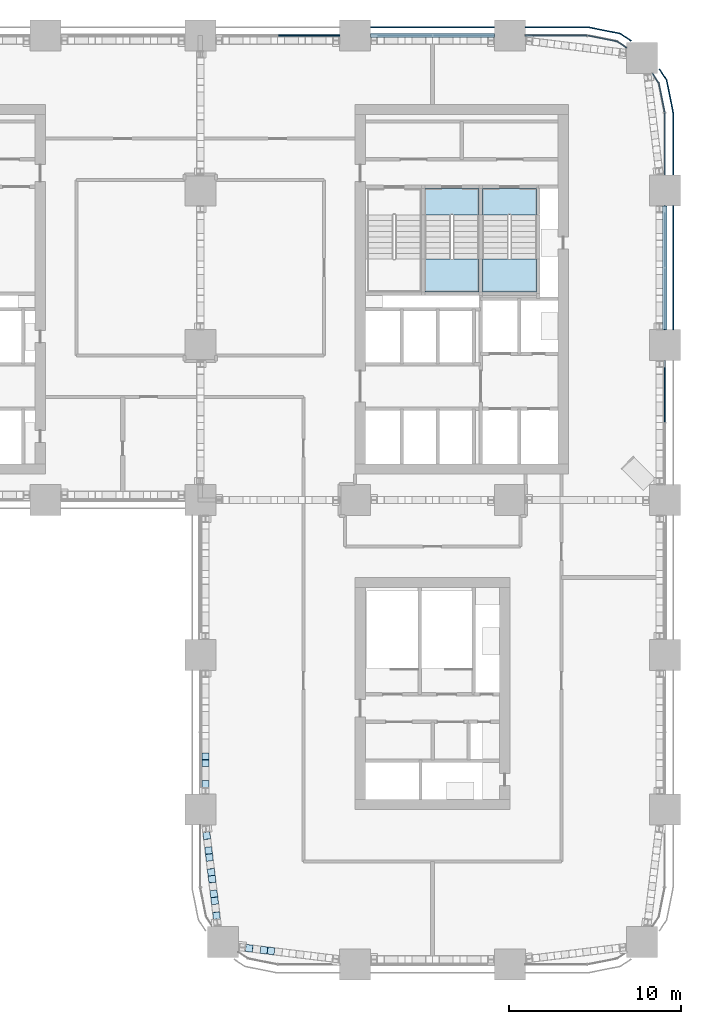
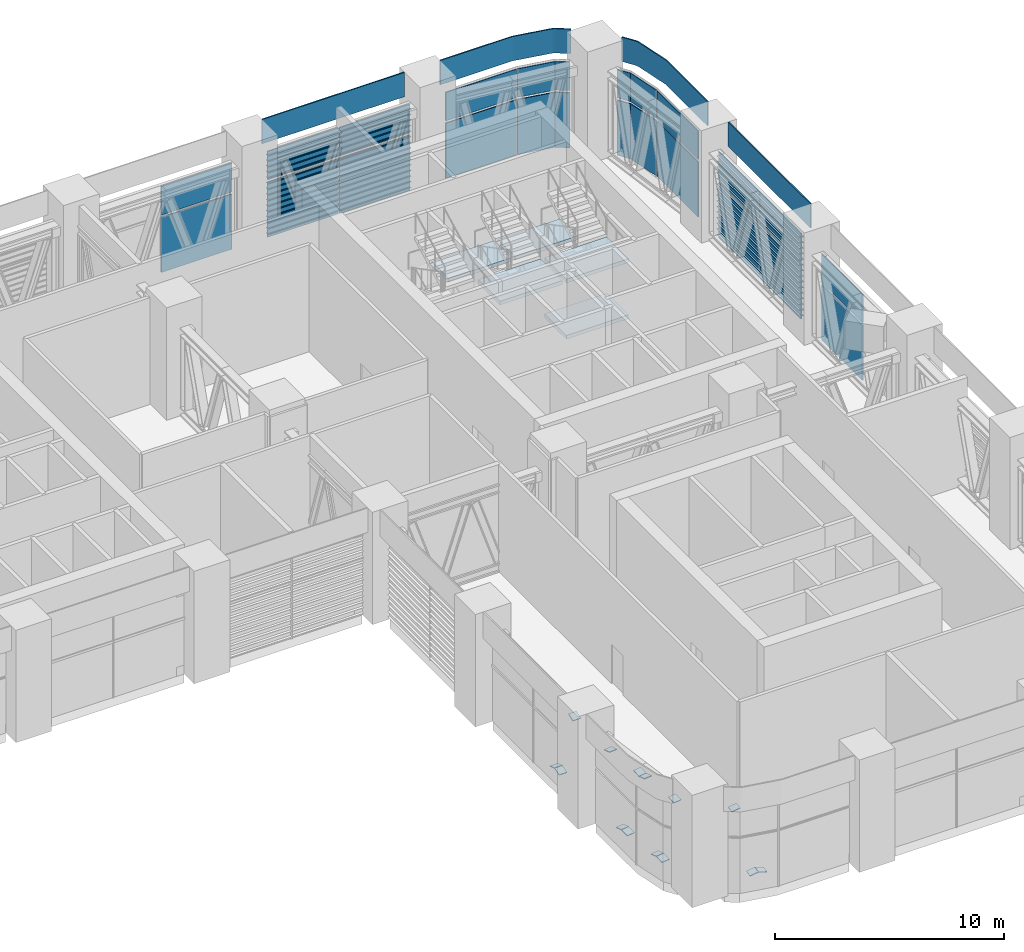
# One storey, part 13 of 24: 68 plates, 5 slabs, 8 elements without a shape of their own.
"""IFC4 building model written with IfcOpenShell, lengths in metres."""

from ifc_helpers import new_model, si_unit, direction, frame, origin, origin_2d, place, context, subcontext, project, spatial, polyline, rectangle, outline, extrude, material, layer, layer_set, type_object, element, aggregate, save


model = new_model("IFC4")

# Units and contexts
model_context = context("Model", 3, precision=1e-05, world=origin(), true_north=direction((0.0, 1.0)))
body_context = subcontext(model_context, "Body", "Model", "MODEL_VIEW")
ifc_project = project(units=[si_unit("LENGTHUNIT", "METRE"), si_unit("AREAUNIT", "SQUARE_METRE"), si_unit("VOLUMEUNIT", "CUBIC_METRE"), si_unit("PLANEANGLEUNIT", "RADIAN"), si_unit("MASSUNIT", "GRAM", prefix="KILO")], contexts=[model_context])

# Site, building, storey
site_placement = place(None, origin())
site = spatial("IfcSite", under=ifc_project, at=site_placement, CompositionType="ELEMENT")
building_placement = place(site_placement, origin())
building = spatial("IfcBuilding", under=site, at=building_placement, Name="Tessera Arch", CompositionType="ELEMENT")
storey_placement = place(building_placement, frame((0.0, 0.0, 123.39990234375)))
storey = spatial("IfcBuildingStorey", under=building, at=storey_placement, Name="L29", CompositionType="ELEMENT", Elevation=123.39990234375)

# Curtain wall, plates
ifc_material_1 = material(Name="CW7 curtain wall")
curtain_wall_type = type_object("IfcCurtainWallType", Name="CW7 curtain wall", PredefinedType="NOTDEFINED", material=ifc_material_1)
curtain_wall_1_placement = place(storey_placement, origin())
curtain_wall_1 = element("IfcCurtainWall", 1, at=curtain_wall_1_placement, inside=storey, type_object=curtain_wall_type, Name="CW7 curtain wall N54.0/0 L29", PredefinedType="NOTDEFINED")
ifc_material_2 = material(Name="Pale anodised aluminium panel", Category="aluminium")
ifc_layer_1 = layer(ifc_material_2, 0.06005859375)
ifc_layer_set_1 = layer_set([ifc_layer_1], Name="CW7 plant wall panel")
plate_type_1 = type_object("IfcPlateType", Name="CW7 plant wall panel", PredefinedType="CURTAIN_PANEL", material=ifc_layer_set_1)
plate_1_placement = place(storey_placement, frame((42.31494140625, 54.0, 0.000244140625), z_axis=(0.0, 0.0, 1.0), x_axis=(-1.0, 0.0, 0.0)))
plate_1 = element("IfcPlate", 2, at=plate_1_placement, type_object=plate_type_1, Name="CW7 plant wall panel N54.0/0 1.1.1", PredefinedType="CURTAIN_PANEL", context=body_context, shape_type="SweptSolid", body=[
    extrude(rectangle(XDim=3.570068359375, YDim=0.06005859375, at=origin_2d()), origin(), (0.0, 0.0, 1.0), 2.93994140625),
])
plate_2_placement = place(storey_placement, frame((42.31494140625, 54.0, 3.06005859375), z_axis=(0.0, 0.0, 1.0), x_axis=(-1.0, 0.0, 0.0)))
plate_2 = element("IfcPlate", 3, at=plate_2_placement, type_object=plate_type_1, Name="CW7 plant wall panel N54.0/0 1.1.2", PredefinedType="CURTAIN_PANEL", context=body_context, shape_type="SweptSolid", body=[
    extrude(rectangle(XDim=3.570068359375, YDim=0.06005859375, at=origin_2d()), origin(), (0.0, 0.0, 1.0), 1.52001953125),
])
plate_3_placement = place(storey_placement, frame((38.68505859375, 54.0, 0.000244140625), z_axis=(0.0, 0.0, 1.0), x_axis=(-1.0, 0.0, 0.0)))
plate_3 = element("IfcPlate", 4, at=plate_3_placement, type_object=plate_type_1, Name="CW7 plant wall panel N54.0/0 1.2.1", PredefinedType="CURTAIN_PANEL", context=body_context, shape_type="SweptSolid", body=[
    extrude(rectangle(XDim=3.570068359375, YDim=0.06005859375, at=origin_2d()), origin(), (0.0, 0.0, 1.0), 2.93994140625),
])
plate_4_placement = place(storey_placement, frame((38.68505859375, 54.0, 3.06005859375), z_axis=(0.0, 0.0, 1.0), x_axis=(-1.0, 0.0, 0.0)))
plate_4 = element("IfcPlate", 5, at=plate_4_placement, type_object=plate_type_1, Name="CW7 plant wall panel N54.0/0 1.2.2", PredefinedType="CURTAIN_PANEL", context=body_context, shape_type="SweptSolid", body=[
    extrude(rectangle(XDim=3.570068359375, YDim=0.06005859375, at=origin_2d()), origin(), (0.0, 0.0, 1.0), 1.52001953125),
])

curtain_wall_2_placement = place(storey_placement, origin())
curtain_wall_2 = element("IfcCurtainWall", 6, at=curtain_wall_2_placement, inside=storey, type_object=curtain_wall_type, Name="CW7 curtain wall N54.0/1 L29", PredefinedType="NOTDEFINED")
plate_5_placement = place(storey_placement, frame((33.31494140625, 54.0, 0.000244140625), z_axis=(0.0, 0.0, 1.0), x_axis=(-1.0, 0.0, 0.0)))
plate_5 = element("IfcPlate", 7, at=plate_5_placement, type_object=plate_type_1, Name="CW7 plant wall panel N54.0/1 1.1.1", PredefinedType="CURTAIN_PANEL", context=body_context, shape_type="SweptSolid", body=[
    extrude(rectangle(XDim=3.570068359375, YDim=0.06005859375, at=origin_2d()), origin(), (0.0, 0.0, 1.0), 2.93994140625),
])
plate_6_placement = place(storey_placement, frame((33.31494140625, 54.0, 3.06005859375), z_axis=(0.0, 0.0, 1.0), x_axis=(-1.0, 0.0, 0.0)))
plate_6 = element("IfcPlate", 8, at=plate_6_placement, type_object=plate_type_1, Name="CW7 plant wall panel N54.0/1 1.1.2", PredefinedType="CURTAIN_PANEL", context=body_context, shape_type="SweptSolid", body=[
    extrude(rectangle(XDim=3.570068359375, YDim=0.06005859375, at=origin_2d()), origin(), (0.0, 0.0, 1.0), 1.52001953125),
])
aggregate(curtain_wall_2, [plate_5, plate_6])

curtain_wall_3_placement = place(storey_placement, origin())
curtain_wall_3 = element("IfcCurtainWall", 9, at=curtain_wall_3_placement, inside=storey, type_object=curtain_wall_type, Name="CW7 curtain wall E54.0/3 L29", PredefinedType="NOTDEFINED")
plate_7_placement = place(storey_placement, frame((54.0, 33.31494140625, 0.000244140625), z_axis=(0.0, 0.0, 1.0), x_axis=(0.0, 1.0, 0.0)))
plate_7 = element("IfcPlate", 10, at=plate_7_placement, type_object=plate_type_1, Name="CW7 plant wall panel E54.0/3 1.2.1", PredefinedType="CURTAIN_PANEL", context=body_context, shape_type="SweptSolid", body=[
    extrude(rectangle(XDim=3.570068359375, YDim=0.06005859375, at=origin_2d()), origin(), (0.0, 0.0, 1.0), 2.93994140625),
])
plate_8_placement = place(storey_placement, frame((54.0, 33.31494140625, 3.06005859375), z_axis=(0.0, 0.0, 1.0), x_axis=(0.0, 1.0, 0.0)))
plate_8 = element("IfcPlate", 11, at=plate_8_placement, type_object=plate_type_1, Name="CW7 plant wall panel E54.0/3 1.2.2", PredefinedType="CURTAIN_PANEL", context=body_context, shape_type="SweptSolid", body=[
    extrude(rectangle(XDim=3.570068359375, YDim=0.06005859375, at=origin_2d()), origin(), (0.0, 0.0, 1.0), 1.52001953125),
])
aggregate(curtain_wall_3, [plate_7, plate_8])

curtain_wall_4_placement = place(storey_placement, origin())
curtain_wall_4 = element("IfcCurtainWall", 12, at=curtain_wall_4_placement, inside=storey, type_object=curtain_wall_type, Name="CW7 curtain wall E54.0/4 L29", PredefinedType="NOTDEFINED")
plate_9_placement = place(storey_placement, frame((54.0, 38.68505859375, 0.000244140625), z_axis=(0.0, 0.0, 1.0), x_axis=(0.0, 1.0, 0.0)))
plate_9 = element("IfcPlate", 13, at=plate_9_placement, type_object=plate_type_1, Name="CW7 plant wall panel E54.0/4 1.1.1", PredefinedType="CURTAIN_PANEL", context=body_context, shape_type="SweptSolid", body=[
    extrude(rectangle(XDim=3.570068359375, YDim=0.06005859375, at=origin_2d()), origin(), (0.0, 0.0, 1.0), 2.93994140625),
])
plate_10_placement = place(storey_placement, frame((54.0, 38.68505859375, 3.06005859375), z_axis=(0.0, 0.0, 1.0), x_axis=(0.0, 1.0, 0.0)))
plate_10 = element("IfcPlate", 14, at=plate_10_placement, type_object=plate_type_1, Name="CW7 plant wall panel E54.0/4 1.1.2", PredefinedType="CURTAIN_PANEL", context=body_context, shape_type="SweptSolid", body=[
    extrude(rectangle(XDim=3.570068359375, YDim=0.06005859375, at=origin_2d()), origin(), (0.0, 0.0, 1.0), 1.52001953125),
])
plate_11_placement = place(storey_placement, frame((54.0, 42.31494140625, 0.000244140625), z_axis=(0.0, 0.0, 1.0), x_axis=(0.0, 1.0, 0.0)))
plate_11 = element("IfcPlate", 15, at=plate_11_placement, type_object=plate_type_1, Name="CW7 plant wall panel E54.0/4 1.2.1", PredefinedType="CURTAIN_PANEL", context=body_context, shape_type="SweptSolid", body=[
    extrude(rectangle(XDim=3.570068359375, YDim=0.06005859375, at=origin_2d()), origin(), (0.0, 0.0, 1.0), 2.93994140625),
])
plate_12_placement = place(storey_placement, frame((54.0, 42.31494140625, 3.06005859375), z_axis=(0.0, 0.0, 1.0), x_axis=(0.0, 1.0, 0.0)))
plate_12 = element("IfcPlate", 16, at=plate_12_placement, type_object=plate_type_1, Name="CW7 plant wall panel E54.0/4 1.2.2", PredefinedType="CURTAIN_PANEL", context=body_context, shape_type="SweptSolid", body=[
    extrude(rectangle(XDim=3.570068359375, YDim=0.06005859375, at=origin_2d()), origin(), (0.0, 0.0, 1.0), 1.52001953125),
])

curtain_wall_5_placement = place(storey_placement, origin())
curtain_wall_5 = element("IfcCurtainWall", 17, at=curtain_wall_5_placement, inside=storey, type_object=curtain_wall_type, Name="CW7 curtain wall E54.0/5 L29", PredefinedType="NOTDEFINED")
plate_13_placement = place(storey_placement, frame((54.0, 47.68505859375, 0.000244140625), z_axis=(0.0, 0.0, 1.0), x_axis=(0.0, 1.0, 0.0)))
plate_13 = element("IfcPlate", 18, at=plate_13_placement, type_object=plate_type_1, Name="CW7 plant wall panel E54.0/5 1.1", PredefinedType="CURTAIN_PANEL", context=body_context, shape_type="SweptSolid", body=[
    extrude(rectangle(XDim=3.570068359375, YDim=0.06005859375, at=origin_2d()), origin(), (0.0, 0.0, 1.0), 2.93994140625),
])
plate_14_placement = place(storey_placement, origin())
plate_14 = element("IfcPlate", 19, at=plate_14_placement, type_object=plate_type_1, Name="CW7 curved plant wall panel E54.0/5 2.1", PredefinedType="CURTAIN_PANEL", context=body_context, shape_type="SweptSolid", body=[
    extrude(outline(polyline([(53.629150390625, 51.21044921875), (53.96484375, 49.523681640625), (54.023681640625, 49.53515625), (53.685791015625, 51.23388671875), (53.308349609375, 51.798583984375), (53.25830078125, 51.765380859375), (53.629150390625, 51.21044921875)])), origin(), (0.0, 0.0, 1.0), 2.940185546875),
])
plate_15_placement = place(storey_placement, frame((54.0, 47.68505859375, 3.06005859375), z_axis=(0.0, 0.0, 1.0), x_axis=(0.0, 1.0, 0.0)))
plate_15 = element("IfcPlate", 20, at=plate_15_placement, type_object=plate_type_1, Name="CW7 plant wall panel E54.0/5 1.2", PredefinedType="CURTAIN_PANEL", context=body_context, shape_type="SweptSolid", body=[
    extrude(rectangle(XDim=3.570068359375, YDim=0.06005859375, at=origin_2d()), origin(), (0.0, 0.0, 1.0), 1.52001953125),
])
plate_16_placement = place(storey_placement, frame((0.0, 0.0, 3.06005859375)))
plate_16 = element("IfcPlate", 21, at=plate_16_placement, type_object=plate_type_1, Name="CW7 curved plant wall panel E54.0/5 2.2", PredefinedType="CURTAIN_PANEL", context=body_context, shape_type="SweptSolid", body=[
    extrude(outline(polyline([(53.629150390625, 51.21044921875), (53.96484375, 49.523681640625), (54.023681640625, 49.53515625), (53.685791015625, 51.23388671875), (53.308349609375, 51.798583984375), (53.25830078125, 51.765380859375), (53.629150390625, 51.21044921875)])), origin(), (0.0, 0.0, 1.0), 1.52001953125),
])

curtain_wall_6_placement = place(storey_placement, origin())
curtain_wall_6 = element("IfcCurtainWall", 22, at=curtain_wall_6_placement, inside=storey, type_object=curtain_wall_type, Name="CW7 curtain wall N54.0/5 L29", PredefinedType="NOTDEFINED")
plate_17_placement = place(storey_placement, frame((47.68505859375, 54.0, 0.000244140625), z_axis=(0.0, 0.0, 1.0), x_axis=(-1.0, 0.0, 0.0)))
plate_17 = element("IfcPlate", 23, at=plate_17_placement, type_object=plate_type_1, Name="CW7 plant wall panel N54.0/5 1.1", PredefinedType="CURTAIN_PANEL", context=body_context, shape_type="SweptSolid", body=[
    extrude(rectangle(XDim=3.570068359375, YDim=0.06005859375, at=origin_2d()), origin(), (0.0, 0.0, 1.0), 2.93994140625),
])
plate_18_placement = place(storey_placement, origin())
plate_18 = element("IfcPlate", 24, at=plate_18_placement, type_object=plate_type_1, Name="CW7 curved plant wall panel N54.0/5 2.1", PredefinedType="CURTAIN_PANEL", context=body_context, shape_type="SweptSolid", body=[
    extrude(outline(polyline([(51.21044921875, 53.629150390625), (51.765380859375, 53.25830078125), (51.798583984375, 53.308349609375), (51.23388671875, 53.685791015625), (49.53515625, 54.023681640625), (49.523681640625, 53.96484375), (51.21044921875, 53.629150390625)])), origin(), (0.0, 0.0, 1.0), 2.940185546875),
])
plate_19_placement = place(storey_placement, frame((47.68505859375, 54.0, 3.06005859375), z_axis=(0.0, 0.0, 1.0), x_axis=(-1.0, 0.0, 0.0)))
plate_19 = element("IfcPlate", 25, at=plate_19_placement, type_object=plate_type_1, Name="CW7 plant wall panel N54.0/5 1.2", PredefinedType="CURTAIN_PANEL", context=body_context, shape_type="SweptSolid", body=[
    extrude(rectangle(XDim=3.570068359375, YDim=0.06005859375, at=origin_2d()), origin(), (0.0, 0.0, 1.0), 1.52001953125),
])
plate_20_placement = place(storey_placement, frame((0.0, 0.0, 3.06005859375)))
plate_20 = element("IfcPlate", 26, at=plate_20_placement, type_object=plate_type_1, Name="CW7 curved plant wall panel N54.0/5 2.2", PredefinedType="CURTAIN_PANEL", context=body_context, shape_type="SweptSolid", body=[
    extrude(outline(polyline([(51.21044921875, 53.629150390625), (51.765380859375, 53.25830078125), (51.798583984375, 53.308349609375), (51.23388671875, 53.685791015625), (49.53515625, 54.023681640625), (49.523681640625, 53.96484375), (51.21044921875, 53.629150390625)])), origin(), (0.0, 0.0, 1.0), 1.52001953125),
])

# Plate
ifc_material_3 = material(Name="Pale anodised aluminium panel", Category="aluminium")
ifc_layer_2 = layer(ifc_material_3, 0.06005859375)
ifc_layer_set_2 = layer_set([ifc_layer_2], Name="CW7 spandrel panel")
plate_type_2 = type_object("IfcPlateType", Name="CW7 spandrel panel", PredefinedType="CURTAIN_PANEL", material=ifc_layer_set_2)
plate_21_placement = place(storey_placement, frame((40.5, 54.47998046875, 4.7001953125), z_axis=(0.0, 0.0, 1.0), x_axis=(-1.0, 0.0, 0.0)))
plate_21 = element("IfcPlate", 27, at=plate_21_placement, type_object=plate_type_2, Name="CW7 spandrel panel N54.0/0", PredefinedType="CURTAIN_PANEL", context=body_context, shape_type="SweptSolid", body=[
    extrude(rectangle(XDim=7.199951171875, YDim=0.06005859375, at=origin_2d()), origin(), (0.0, 0.0, 1.0), 1.300048828125),
])

aggregate(curtain_wall_1, [plate_1, plate_2, plate_3, plate_4, plate_21])

plate_22_placement = place(storey_placement, frame((54.47998046875, 40.5, 4.7001953125), z_axis=(0.0, 0.0, 1.0), x_axis=(0.0, 1.0, 0.0)))
plate_22 = element("IfcPlate", 28, at=plate_22_placement, type_object=plate_type_2, Name="CW7 spandrel panel E54.0/4", PredefinedType="CURTAIN_PANEL", context=body_context, shape_type="SweptSolid", body=[
    extrude(rectangle(XDim=7.199951171875, YDim=0.06005859375, at=origin_2d()), origin(), (0.0, 0.0, 1.0), 1.300048828125),
])

aggregate(curtain_wall_4, [plate_9, plate_10, plate_11, plate_12, plate_22])

plate_23_placement = place(storey_placement, frame((0.0, 0.0, 4.7001953125)))
plate_23 = element("IfcPlate", 29, at=plate_23_placement, type_object=plate_type_2, Name="CW7 spandrel panel E54.0/5", PredefinedType="CURTAIN_PANEL", context=body_context, shape_type="SweptSolid", body=[
    extrude(outline(polyline([(54.449951171875, 49.499267578125), (54.449951171875, 45.89990234375), (54.510009765625, 45.89990234375), (54.510009765625, 49.500732421875), (54.507568359375, 49.550048828125), (54.500244140625, 49.598876953125), (54.157470703125, 51.322265625), (54.1455078125, 51.3701171875), (54.128662109375, 51.417236328125), (54.107177734375, 51.462646484375), (54.08203125, 51.5048828125), (53.707275390625, 52.0654296875), (53.657470703125, 52.031982421875), (54.03125, 51.47265625), (54.05419921875, 51.434326171875), (54.0732421875, 51.394287109375), (54.088134765625, 51.352783203125), (54.09912109375, 51.30908203125), (54.441162109375, 49.588623046875), (54.44775390625, 49.544189453125), (54.449951171875, 49.499267578125)])), origin(), (0.0, 0.0, 1.0), 1.2998046875),
])

aggregate(curtain_wall_5, [plate_13, plate_14, plate_15, plate_16, plate_23])

plate_24_placement = place(storey_placement, frame((0.0, 0.0, 4.7001953125)))
plate_24 = element("IfcPlate", 30, at=plate_24_placement, type_object=plate_type_2, Name="CW7 spandrel panel N54.0/5", PredefinedType="CURTAIN_PANEL", context=body_context, shape_type="SweptSolid", body=[
    extrude(outline(polyline([(51.47265625, 54.03125), (52.031982421875, 53.657470703125), (52.0654296875, 53.707275390625), (51.5048828125, 54.08203125), (51.462646484375, 54.107177734375), (51.417236328125, 54.128662109375), (51.3701171875, 54.1455078125), (51.322265625, 54.157470703125), (49.598876953125, 54.500244140625), (49.550048828125, 54.507568359375), (49.500732421875, 54.510009765625), (45.89990234375, 54.510009765625), (45.89990234375, 54.449951171875), (49.499267578125, 54.449951171875), (49.544189453125, 54.44775390625), (49.588623046875, 54.441162109375), (51.30908203125, 54.09912109375), (51.352783203125, 54.088134765625), (51.394287109375, 54.0732421875), (51.434326171875, 54.05419921875), (51.47265625, 54.03125)])), origin(), (0.0, 0.0, 1.0), 1.2998046875),
])

aggregate(curtain_wall_6, [plate_17, plate_18, plate_19, plate_20, plate_24])

# Plates
ifc_material_4 = material(Name="Steel A572 Gr50", Category="steel")
ifc_layer_3 = layer(ifc_material_4, 0.0400390625)
ifc_layer_set_3 = layer_set([ifc_layer_3], Name="End plate W14x257")
plate_type_3 = type_object("IfcPlateType", Name="End plate W14x257", PredefinedType="SHEET", material=ifc_layer_set_3)
for number, where, z_axis, x_axis, name in (
    (31, (27.300048828125, 12.10009765625, 0.557373046875), (0.0, -0.316227766017, -0.948683298051), (1.0, 0.0, 0.0), "End plate Belt truss diagonal 3 end 2"),
    (32, (27.300048828125, 11.706298828125, 0.519287109375), (0.0, -0.316227766017, 0.948683298051), (1.0, 0.0, 0.0), "End plate Belt truss diagonal 4 end 1"),
    (33, (27.300048828125, 10.4970703125, 4.142822265625), (0.0, -0.316227766017, 0.948683298051), (1.0, 0.0, 0.0), "End plate Belt truss diagonal 4 end 2"),
    (34, (27.376953125, 7.4873046875, 4.199462890625), (0.024349989604, -0.225237403834, -0.973999584148), (0.994207047566, 0.10748184298, 0.0), "End plate Belt truss diagonal 1 end 1"),
    (35, (27.4814453125, 6.62939453125, 0.539794921875), (0.024316221747, -0.231004106598, -0.972648869888), (0.994505452921, 0.104684784518, 0.0), "End plate Belt truss diagonal 1 end 2"),
    (36, (27.5302734375, 6.227783203125, 0.500732421875), (0.03043241254, -0.225199852793, 0.973837201266), (0.99099243041, 0.133917896001, 0.0), "End plate Belt truss diagonal 2 end 1"),
    (37, (27.635009765625, 5.36962890625, 4.160400390625), (0.024349989604, -0.225237403834, 0.973999584148), (0.994207047566, 0.10748184298, 0.0), "End plate Belt truss diagonal 2 end 2"),
    (38, (27.683837890625, 4.96826171875, 4.199462890625), (0.024316221747, -0.231004106598, -0.972648869888), (0.994505452921, 0.104684784518, 0.0), "End plate Belt truss diagonal 3 end 1"),
):
    element("IfcPlate", number, at=place(storey_placement, frame(where, z_axis=z_axis, x_axis=x_axis)), inside=storey, type_object=plate_type_3, Name=name, PredefinedType="SHEET", context=body_context, shape_type="SweptSolid", body=[
        extrude(rectangle(XDim=0.406494140625, YDim=0.41650390625, at=origin_2d()), origin(), (0.0, 0.0, 1.0), 0.0400390625),
    ])
plate_25_placement = place(storey_placement, frame((27.788330078125, 4.110107421875, 0.539794921875), z_axis=(0.030390223798, -0.230965700861, -0.972487161521), x_axis=(0.991454295543, 0.130454512571, 0.0)))
element("IfcPlate", 39, at=plate_25_placement, inside=storey, type_object=plate_type_3, Name="End plate Belt truss diagonal 3 end 2", PredefinedType="SHEET", context=body_context, shape_type="SweptSolid", body=[
    extrude(rectangle(XDim=0.406494140625, YDim=0.41650390625, at=origin_2d()), origin(), (0.0, 0.0, 1.0), 0.040283203125),
])
for number, where, z_axis, x_axis, name in (
    (40, (27.83740234375, 3.70849609375, 0.500732421875), (0.024349989604, -0.225237403834, 0.973999584148), (0.994207047566, 0.10748184298, 0.0), "End plate Belt truss diagonal 4 end 1"),
    (41, (27.94189453125, 2.850341796875, 4.160400390625), (0.024349989604, -0.225237403834, 0.973999584148), (0.994207047566, 0.10748184298, 0.0), "End plate Belt truss diagonal 4 end 2"),
    (42, (29.84130859375, 0.94287109375, 4.199462890625), (0.225237403834, -0.024349989604, -0.973999584148), (0.10748184298, 0.994207047566, 0.0), "End plate Belt truss diagonal 1 end 1"),
    (43, (30.699462890625, 0.83837890625, 0.539794921875), (0.225237403834, -0.024349989604, -0.973999584148), (0.10748184298, 0.994207047566, 0.0), "End plate Belt truss diagonal 1 end 2"),
):
    element("IfcPlate", number, at=place(storey_placement, frame(where, z_axis=z_axis, x_axis=x_axis)), inside=storey, type_object=plate_type_3, Name=name, PredefinedType="SHEET", context=body_context, shape_type="SweptSolid", body=[
        extrude(rectangle(XDim=0.406494140625, YDim=0.41650390625, at=origin_2d()), origin(), (0.0, 0.0, 1.0), 0.0400390625),
    ])
plate_26_placement = place(storey_placement, frame((31.100830078125, 0.78955078125, 0.500732421875), z_axis=(0.230965700861, -0.030390223798, 0.972487161521), x_axis=(0.130454512571, 0.991454295543, 0.0)))
element("IfcPlate", 44, at=plate_26_placement, inside=storey, type_object=plate_type_3, Name="End plate Belt truss diagonal 2 end 1", PredefinedType="SHEET", context=body_context, shape_type="SweptSolid", body=[
    extrude(rectangle(XDim=0.406494140625, YDim=0.41650390625, at=origin_2d()), origin(), (0.0, 0.0, 1.0), 0.040283203125),
])
ifc_material_5 = material(Name="Aluminium louvre pale metal anodised", Category="aluminium")
ifc_layer_4 = layer(ifc_material_5, 0.02001953125)
ifc_layer_set_4 = layer_set([ifc_layer_4], Name="Plant louvre blade")
plate_type_4 = type_object("IfcPlateType", Name="Plant louvre blade", PredefinedType="USERDEFINED", material=ifc_layer_set_4)
plate_27_placement = place(storey_placement, frame((44.10009765625, 54.125, 0.150146484375), z_axis=(0.0, 0.269874067237, 0.962895626656), x_axis=(-1.0, 0.0, 0.0)))
element("IfcPlate", 45, at=plate_27_placement, inside=storey, type_object=plate_type_4, Name="Louvre blade N54.0/0 1", ObjectType="LOUVER", PredefinedType="USERDEFINED", context=body_context, shape_type="SweptSolid", body=[
    extrude(outline(polyline([(0.0, 0.0), (7.2001953125, 0.0), (7.2001953125, 0.25963353979311715), (0.0, 0.25963353979311715), (0.0, 0.0)])), origin(), (0.0, 0.0, -1.0), 0.02001953125),
])
plate_28_placement = place(storey_placement, frame((44.10009765625, 54.125, 0.4501953125), z_axis=(0.0, 0.269001893813, 0.963139647779), x_axis=(-1.0, 0.0, 0.0)))
element("IfcPlate", 46, at=plate_28_placement, inside=storey, type_object=plate_type_4, Name="Louvre blade N54.0/0 2", ObjectType="LOUVER", PredefinedType="USERDEFINED", context=body_context, shape_type="SweptSolid", body=[
    extrude(outline(polyline([(0.0, 0.0), (7.2001953125, 0.0), (7.2001953125, 0.25956775902266416), (0.0, 0.25956775902266416), (0.0, 0.0)])), origin(), (0.0, 0.0, -1.0), 0.02001953125),
])
for number, where, z_axis, x_axis, name in (
    (47, (44.10009765625, 54.125, 0.75), (0.0, 0.269874067237, 0.962895626656), (-1.0, 0.0, 0.0), "Louvre blade N54.0/0 3"),
    (48, (44.10009765625, 54.125, 1.050048828125), (0.0, 0.269874067237, 0.962895626656), (-1.0, 0.0, 0.0), "Louvre blade N54.0/0 4"),
    (49, (44.10009765625, 54.125, 1.35009765625), (0.0, 0.269874067237, 0.962895626656), (-1.0, 0.0, 0.0), "Louvre blade N54.0/0 5"),
    (50, (44.10009765625, 54.125, 1.650146484375), (0.0, 0.269874067237, 0.962895626656), (-1.0, 0.0, 0.0), "Louvre blade N54.0/0 6"),
):
    element("IfcPlate", number, at=place(storey_placement, frame(where, z_axis=z_axis, x_axis=x_axis)), inside=storey, type_object=plate_type_4, Name=name, ObjectType="LOUVER", PredefinedType="USERDEFINED", context=body_context, shape_type="SweptSolid", body=[
        extrude(outline(polyline([(0.0, 0.0), (7.2001953125, 0.0), (7.2001953125, 0.25963353979311715), (0.0, 0.25963353979311715), (0.0, 0.0)])), origin(), (0.0, 0.0, -1.0), 0.02001953125),
    ])
plate_29_placement = place(storey_placement, frame((44.10009765625, 54.125, 1.9501953125), z_axis=(0.0, 0.269001893813, 0.963139647779), x_axis=(-1.0, 0.0, 0.0)))
element("IfcPlate", 51, at=plate_29_placement, inside=storey, type_object=plate_type_4, Name="Louvre blade N54.0/0 7", ObjectType="LOUVER", PredefinedType="USERDEFINED", context=body_context, shape_type="SweptSolid", body=[
    extrude(outline(polyline([(0.0, 0.0), (7.2001953125, 0.0), (7.2001953125, 0.25956775902266416), (0.0, 0.25956775902266416), (0.0, 0.0)])), origin(), (0.0, 0.0, -1.0), 0.02001953125),
])
for number, where, z_axis, x_axis, name in (
    (52, (44.10009765625, 54.125, 2.25), (0.0, 0.269874067237, 0.962895626656), (-1.0, 0.0, 0.0), "Louvre blade N54.0/0 8"),
    (53, (44.10009765625, 54.125, 2.550048828125), (0.0, 0.269874067237, 0.962895626656), (-1.0, 0.0, 0.0), "Louvre blade N54.0/0 9"),
    (54, (44.10009765625, 54.125, 2.85009765625), (0.0, 0.269874067237, 0.962895626656), (-1.0, 0.0, 0.0), "Louvre blade N54.0/0 10"),
    (55, (44.10009765625, 54.125, 3.150146484375), (0.0, 0.269874067237, 0.962895626656), (-1.0, 0.0, 0.0), "Louvre blade N54.0/0 11"),
):
    element("IfcPlate", number, at=place(storey_placement, frame(where, z_axis=z_axis, x_axis=x_axis)), inside=storey, type_object=plate_type_4, Name=name, ObjectType="LOUVER", PredefinedType="USERDEFINED", context=body_context, shape_type="SweptSolid", body=[
        extrude(outline(polyline([(0.0, 0.0), (7.2001953125, 0.0), (7.2001953125, 0.25963353979311715), (0.0, 0.25963353979311715), (0.0, 0.0)])), origin(), (0.0, 0.0, -1.0), 0.02001953125),
    ])
plate_30_placement = place(storey_placement, frame((44.10009765625, 54.125, 3.4501953125), z_axis=(0.0, 0.269001893813, 0.963139647779), x_axis=(-1.0, 0.0, 0.0)))
element("IfcPlate", 56, at=plate_30_placement, inside=storey, type_object=plate_type_4, Name="Louvre blade N54.0/0 12", ObjectType="LOUVER", PredefinedType="USERDEFINED", context=body_context, shape_type="SweptSolid", body=[
    extrude(outline(polyline([(0.0, 0.0), (7.2001953125, 0.0), (7.2001953125, 0.25956775902266416), (0.0, 0.25956775902266416), (0.0, 0.0)])), origin(), (0.0, 0.0, -1.0), 0.02001953125),
])
for number, where, z_axis, x_axis, name in (
    (57, (44.10009765625, 54.125, 3.75), (0.0, 0.269874067237, 0.962895626656), (-1.0, 0.0, 0.0), "Louvre blade N54.0/0 13"),
    (58, (44.10009765625, 54.125, 4.050048828125), (0.0, 0.269874067237, 0.962895626656), (-1.0, 0.0, 0.0), "Louvre blade N54.0/0 14"),
    (59, (44.10009765625, 54.125, 4.35009765625), (0.0, 0.269874067237, 0.962895626656), (-1.0, 0.0, 0.0), "Louvre blade N54.0/0 15"),
    (60, (54.125, 36.89990234375, 0.150146484375), (0.269874067237, 0.0, 0.962895626656), (0.0, 1.0, 0.0), "Louvre blade E54.0/4 1"),
):
    element("IfcPlate", number, at=place(storey_placement, frame(where, z_axis=z_axis, x_axis=x_axis)), inside=storey, type_object=plate_type_4, Name=name, ObjectType="LOUVER", PredefinedType="USERDEFINED", context=body_context, shape_type="SweptSolid", body=[
        extrude(outline(polyline([(0.0, 0.0), (7.2001953125, 0.0), (7.2001953125, 0.25963353979311715), (0.0, 0.25963353979311715), (0.0, 0.0)])), origin(), (0.0, 0.0, -1.0), 0.02001953125),
    ])
plate_31_placement = place(storey_placement, frame((54.125, 36.89990234375, 0.4501953125), z_axis=(0.269001893813, 0.0, 0.963139647779), x_axis=(0.0, 1.0, 0.0)))
element("IfcPlate", 61, at=plate_31_placement, inside=storey, type_object=plate_type_4, Name="Louvre blade E54.0/4 2", ObjectType="LOUVER", PredefinedType="USERDEFINED", context=body_context, shape_type="SweptSolid", body=[
    extrude(outline(polyline([(0.0, 0.0), (7.2001953125, 0.0), (7.2001953125, 0.25956775902266416), (0.0, 0.25956775902266416), (0.0, 0.0)])), origin(), (0.0, 0.0, -1.0), 0.02001953125),
])
for number, where, z_axis, x_axis, name in (
    (62, (54.125, 36.89990234375, 0.75), (0.269874067237, 0.0, 0.962895626656), (0.0, 1.0, 0.0), "Louvre blade E54.0/4 3"),
    (63, (54.125, 36.89990234375, 1.050048828125), (0.269874067237, 0.0, 0.962895626656), (0.0, 1.0, 0.0), "Louvre blade E54.0/4 4"),
    (64, (54.125, 36.89990234375, 1.35009765625), (0.269874067237, 0.0, 0.962895626656), (0.0, 1.0, 0.0), "Louvre blade E54.0/4 5"),
    (65, (54.125, 36.89990234375, 1.650146484375), (0.269874067237, 0.0, 0.962895626656), (0.0, 1.0, 0.0), "Louvre blade E54.0/4 6"),
):
    element("IfcPlate", number, at=place(storey_placement, frame(where, z_axis=z_axis, x_axis=x_axis)), inside=storey, type_object=plate_type_4, Name=name, ObjectType="LOUVER", PredefinedType="USERDEFINED", context=body_context, shape_type="SweptSolid", body=[
        extrude(outline(polyline([(0.0, 0.0), (7.2001953125, 0.0), (7.2001953125, 0.25963353979311715), (0.0, 0.25963353979311715), (0.0, 0.0)])), origin(), (0.0, 0.0, -1.0), 0.02001953125),
    ])
plate_32_placement = place(storey_placement, frame((54.125, 36.89990234375, 1.9501953125), z_axis=(0.269001893813, 0.0, 0.963139647779), x_axis=(0.0, 1.0, 0.0)))
element("IfcPlate", 66, at=plate_32_placement, inside=storey, type_object=plate_type_4, Name="Louvre blade E54.0/4 7", ObjectType="LOUVER", PredefinedType="USERDEFINED", context=body_context, shape_type="SweptSolid", body=[
    extrude(outline(polyline([(0.0, 0.0), (7.2001953125, 0.0), (7.2001953125, 0.25956775902266416), (0.0, 0.25956775902266416), (0.0, 0.0)])), origin(), (0.0, 0.0, -1.0), 0.02001953125),
])
for number, where, z_axis, x_axis, name in (
    (67, (54.125, 36.89990234375, 2.25), (0.269874067237, 0.0, 0.962895626656), (0.0, 1.0, 0.0), "Louvre blade E54.0/4 8"),
    (68, (54.125, 36.89990234375, 2.550048828125), (0.269874067237, 0.0, 0.962895626656), (0.0, 1.0, 0.0), "Louvre blade E54.0/4 9"),
    (69, (54.125, 36.89990234375, 2.85009765625), (0.269874067237, 0.0, 0.962895626656), (0.0, 1.0, 0.0), "Louvre blade E54.0/4 10"),
    (70, (54.125, 36.89990234375, 3.150146484375), (0.269874067237, 0.0, 0.962895626656), (0.0, 1.0, 0.0), "Louvre blade E54.0/4 11"),
):
    element("IfcPlate", number, at=place(storey_placement, frame(where, z_axis=z_axis, x_axis=x_axis)), inside=storey, type_object=plate_type_4, Name=name, ObjectType="LOUVER", PredefinedType="USERDEFINED", context=body_context, shape_type="SweptSolid", body=[
        extrude(outline(polyline([(0.0, 0.0), (7.2001953125, 0.0), (7.2001953125, 0.25963353979311715), (0.0, 0.25963353979311715), (0.0, 0.0)])), origin(), (0.0, 0.0, -1.0), 0.02001953125),
    ])
plate_33_placement = place(storey_placement, frame((54.125, 36.89990234375, 3.4501953125), z_axis=(0.269001893813, 0.0, 0.963139647779), x_axis=(0.0, 1.0, 0.0)))
element("IfcPlate", 71, at=plate_33_placement, inside=storey, type_object=plate_type_4, Name="Louvre blade E54.0/4 12", ObjectType="LOUVER", PredefinedType="USERDEFINED", context=body_context, shape_type="SweptSolid", body=[
    extrude(outline(polyline([(0.0, 0.0), (7.2001953125, 0.0), (7.2001953125, 0.25956775902266416), (0.0, 0.25956775902266416), (0.0, 0.0)])), origin(), (0.0, 0.0, -1.0), 0.02001953125),
])
for number, where, z_axis, x_axis, name in (
    (72, (54.125, 36.89990234375, 3.75), (0.269874067237, 0.0, 0.962895626656), (0.0, 1.0, 0.0), "Louvre blade E54.0/4 13"),
    (73, (54.125, 36.89990234375, 4.050048828125), (0.269874067237, 0.0, 0.962895626656), (0.0, 1.0, 0.0), "Louvre blade E54.0/4 14"),
    (74, (54.125, 36.89990234375, 4.35009765625), (0.269874067237, 0.0, 0.962895626656), (0.0, 1.0, 0.0), "Louvre blade E54.0/4 15"),
):
    element("IfcPlate", number, at=place(storey_placement, frame(where, z_axis=z_axis, x_axis=x_axis)), inside=storey, type_object=plate_type_4, Name=name, ObjectType="LOUVER", PredefinedType="USERDEFINED", context=body_context, shape_type="SweptSolid", body=[
        extrude(outline(polyline([(0.0, 0.0), (7.2001953125, 0.0), (7.2001953125, 0.25963353979311715), (0.0, 0.25963353979311715), (0.0, 0.0)])), origin(), (0.0, 0.0, -1.0), 0.02001953125),
    ])

# Stair, slabs
ifc_material_6 = material(Name="Concrete C40/50", Category="concrete")
stair_type = type_object("IfcStairType", Name="Dogleg stair 1520", PredefinedType="HALF_TURN_STAIR", material=ifc_material_6)
stair_1_placement = place(storey_placement, origin())
stair_1 = element("IfcStair", 75, at=stair_1_placement, inside=storey, type_object=stair_type, Name="L29 S1b", PredefinedType="HALF_TURN_STAIR")
ifc_material_7 = material(Name="Concrete C40/50", Category="concrete")
ifc_layer_5 = layer(ifc_material_7, 0.300048828125)
ifc_layer_set_5 = layer_set([ifc_layer_5], Name="Stair landing 300")
slab_type = type_object("IfcSlabType", Name="Stair landing 300", PredefinedType="LANDING", material=ifc_layer_set_5)
slab_1_placement = place(storey_placement, frame((0.0, 0.0, 2.800048828125)))
slab_1 = element("IfcSlab", 76, at=slab_1_placement, type_object=slab_type, Name="S1b landing 2", PredefinedType="LANDING", context=body_context, shape_type="SweptSolid", body=[
    extrude(outline(polyline([(40.050048828125, 45.10009765625), (40.050048828125, 43.580078125), (43.199951171875, 43.580078125), (43.199951171875, 45.10009765625), (40.050048828125, 45.10009765625)])), origin(), (0.0, 0.0, 1.0), 0.199951171875),
])
slab_2_placement = place(storey_placement, frame((0.0, 0.0, 4.300048828125)))
slab_2 = element("IfcSlab", 77, at=slab_2_placement, type_object=slab_type, Name="S1b landing 3", PredefinedType="LANDING", context=body_context, shape_type="SweptSolid", body=[
    extrude(outline(polyline([(40.050048828125, 41.02001953125), (40.050048828125, 39.10009765625), (43.199951171875, 39.10009765625), (43.199951171875, 41.02001953125), (40.050048828125, 41.02001953125)])), origin(), (0.0, 0.0, 1.0), 0.199951171875),
])
aggregate(stair_1, [slab_1, slab_2])

stair_2_placement = place(storey_placement, origin())
stair_2 = element("IfcStair", 78, at=stair_2_placement, inside=storey, type_object=stair_type, Name="L29 S1c", PredefinedType="HALF_TURN_STAIR")
slab_3_placement = place(storey_placement, frame((0.0, 0.0, 1.300048828125)))
slab_3 = element("IfcSlab", 79, at=slab_3_placement, type_object=slab_type, Name="S1c landing 1", PredefinedType="LANDING", context=body_context, shape_type="SweptSolid", body=[
    extrude(outline(polyline([(43.39990234375, 41.02001953125), (43.39990234375, 39.10009765625), (46.550048828125, 39.10009765625), (46.550048828125, 41.02001953125), (43.39990234375, 41.02001953125)])), origin(), (0.0, 0.0, 1.0), 0.199951171875),
])
slab_4_placement = place(storey_placement, frame((0.0, 0.0, 2.800048828125)))
slab_4 = element("IfcSlab", 80, at=slab_4_placement, type_object=slab_type, Name="S1c landing 2", PredefinedType="LANDING", context=body_context, shape_type="SweptSolid", body=[
    extrude(outline(polyline([(43.39990234375, 45.10009765625), (43.39990234375, 43.580078125), (46.550048828125, 43.580078125), (46.550048828125, 45.10009765625), (43.39990234375, 45.10009765625)])), origin(), (0.0, 0.0, 1.0), 0.199951171875),
])
slab_5_placement = place(storey_placement, frame((0.0, 0.0, 4.300048828125)))
slab_5 = element("IfcSlab", 81, at=slab_5_placement, type_object=slab_type, Name="S1c landing 3", PredefinedType="LANDING", context=body_context, shape_type="SweptSolid", body=[
    extrude(outline(polyline([(43.39990234375, 41.02001953125), (43.39990234375, 39.10009765625), (46.550048828125, 39.10009765625), (46.550048828125, 41.02001953125), (43.39990234375, 41.02001953125)])), origin(), (0.0, 0.0, 1.0), 0.199951171875),
])
aggregate(stair_2, [slab_3, slab_4, slab_5])

save(model, "model.ifc")
